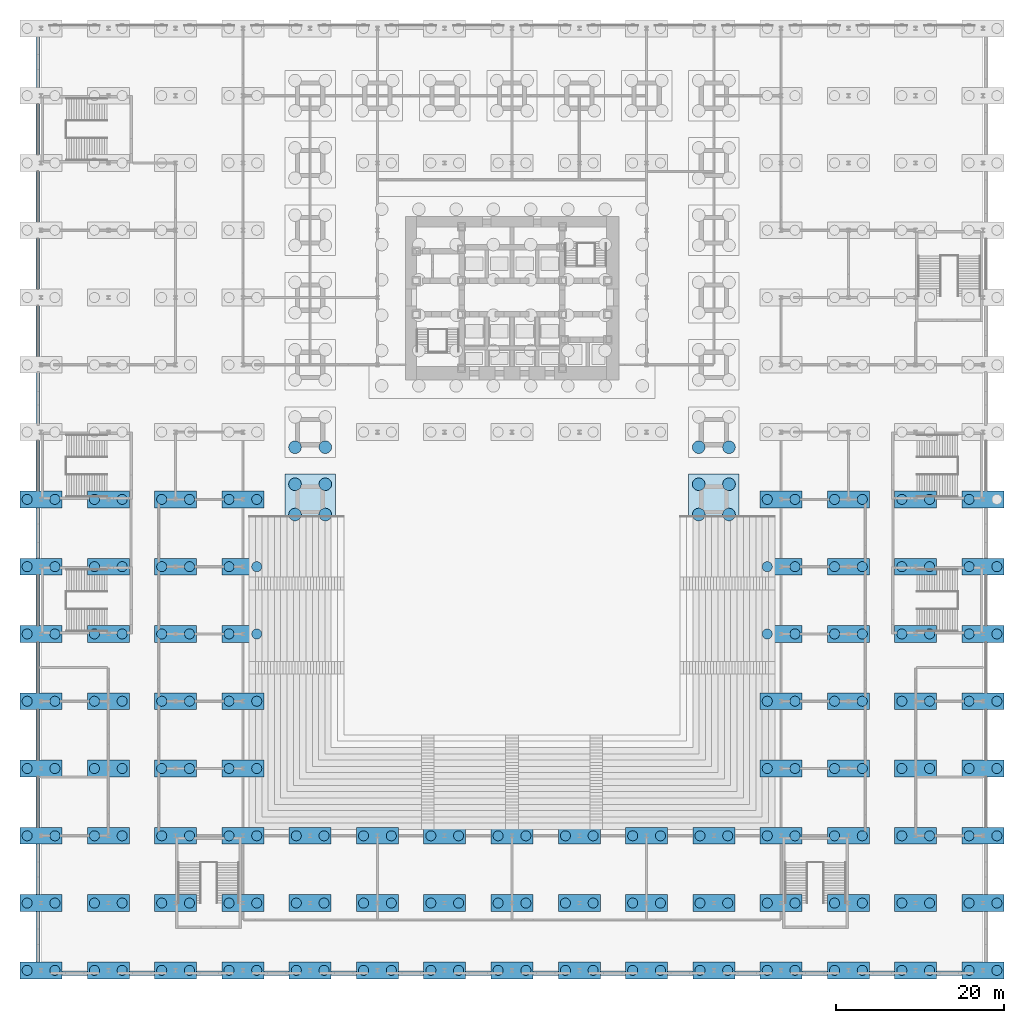
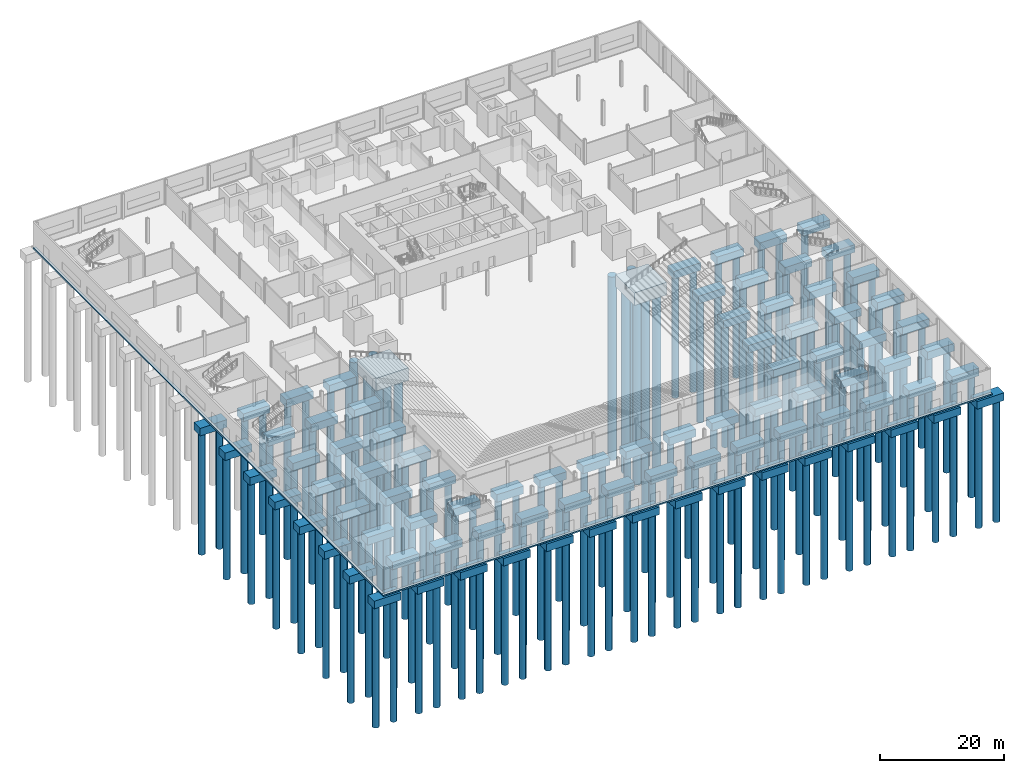
# One storey, part 1 of 24: 181 piles, 89 footings.
"""IFC4 building model written with IfcOpenShell, lengths in metres."""

import ifcopenshell
import ifcopenshell.guid

model = None  # the IFC model being written
_history = None  # IfcOwnerHistory: only IFC2X3 demands one
_inside = {}  # id of a spatial element -> (the spatial element, [elements in it])
_under = {}  # id of a project, library or spatial element -> (it, [spatial elements below it])
_declared = {}  # id of a project -> (the project, [libraries it declares])
_typed = {}  # id of a type object -> (the type object, [elements of that type])
_made_of = {}  # id of a material, layer set ... -> (it, [elements and type objects made of it])


def new_model(schema):
    """Start an empty IFC model of exactly this schema.

    Asked for "IFC4X3", IfcOpenShell would pick the latest addendum, in which some entities
    have other attributes; the version numbers below select the first issue.
    IFC2X3 requires an IfcOwnerHistory on every rooted entity: one is made here for all.
    """
    global model, _history
    if schema == "IFC4X3":
        model = ifcopenshell.file(schema_version=(4, 3, 0, 0))
    else:
        model = ifcopenshell.file(schema=schema)
    _inside.clear()
    _under.clear()
    _declared.clear()
    _typed.clear()
    _made_of.clear()
    _history = None
    if model.schema == "IFC2X3":
        org = make("IfcOrganization", Name="unknown")
        user = make(
            "IfcPersonAndOrganization",
            ThePerson=make("IfcPerson", FamilyName="unknown"),
            TheOrganization=org,
        )
        app = make(
            "IfcApplication",
            ApplicationDeveloper=org,
            Version="unknown",
            ApplicationFullName="unknown",
            ApplicationIdentifier="unknown",
        )
        _history = make(
            "IfcOwnerHistory",
            OwningUser=user,
            OwningApplication=app,
            ChangeAction="ADDED",
            CreationDate=0,
        )
    return model


def make(cls, **values):
    """One entity of the class cls with the attributes given. An attribute that is None is left unset."""
    return model.create_entity(
        cls, **{name: value for name, value in values.items() if value is not None}
    )


def rooted(cls, **values):
    """An entity with a GlobalId (a new one), such as an element, a storey or a relation."""
    return make(cls, GlobalId=ifcopenshell.guid.new(), OwnerHistory=_history, **values)


def si_unit(unit_type, name, prefix=None):
    """IfcSIUnit, for example si_unit("LENGTHUNIT", "METRE", prefix="MILLI")."""
    return make("IfcSIUnit", UnitType=unit_type, Prefix=prefix, Name=name)


def assignment(units):
    """IfcUnitAssignment: the units of a project."""
    return None if units is None else make("IfcUnitAssignment", Units=units)


def point(xyz):
    """IfcCartesianPoint."""
    return None if xyz is None else make("IfcCartesianPoint", Coordinates=xyz)


def direction(xyz):
    """IfcDirection."""
    return None if xyz is None else make("IfcDirection", DirectionRatios=xyz)


def frame(location, z_axis=None, x_axis=None):
    """IfcAxis2Placement3D, a coordinate frame: its origin and axes. An axis left out is left unset."""
    return make(
        "IfcAxis2Placement3D",
        Location=point(location),
        Axis=direction(z_axis),
        RefDirection=direction(x_axis),
    )


def frame_2d(location, x_axis=None):
    """IfcAxis2Placement2D, a coordinate frame in the plane: its origin and x axis."""
    return make(
        "IfcAxis2Placement2D", Location=point(location), RefDirection=direction(x_axis)
    )


def origin():
    """The frame at (0, 0, 0) with its axes left unset."""
    return frame((0.0, 0.0, 0.0))


def origin_2d():
    """The frame at (0, 0) in the plane with its x axis left unset."""
    return frame_2d((0.0, 0.0))


def place(relative_to, where):
    """IfcLocalPlacement: puts the frame where relative to a parent placement (None: the world)."""
    return make(
        "IfcLocalPlacement", PlacementRelTo=relative_to, RelativePlacement=where
    )


def context(
    kind, dimensions, precision=None, world=None, true_north=None, identifier=None
):
    """IfcGeometricRepresentationContext, for example the 3D "Model" context."""
    return make(
        "IfcGeometricRepresentationContext",
        ContextIdentifier=identifier,
        ContextType=kind,
        CoordinateSpaceDimension=dimensions,
        Precision=precision,
        WorldCoordinateSystem=world,
        TrueNorth=true_north,
    )


def subcontext(parent, identifier, kind, view, scale=None):
    """IfcGeometricRepresentationSubContext, for example "Body" below "Model"."""
    return make(
        "IfcGeometricRepresentationSubContext",
        ContextIdentifier=identifier,
        ContextType=kind,
        ParentContext=parent,
        TargetScale=scale,
        TargetView=view,
    )


def project(units=None, contexts=None):
    """IfcProject with its units and contexts."""
    return rooted(
        "IfcProject",
        Name="project",
        RepresentationContexts=contexts,
        UnitsInContext=assignment(units),
    )


def spatial(cls, under=None, at=None, **own):
    """A site, building, storey or space (cls), placed at a placement, below another one or the project."""
    s = rooted(cls, ObjectPlacement=at, **own)
    if under is not None:
        _under.setdefault(under.id(), (under, []))[1].append(s)
    return s


def profile(cls, at=None, kind="AREA", **sizes):
    """A parametric profile (cls). Its sizes go by their IFC names, for example OverallWidth=200.0."""
    return make(cls, ProfileType=kind, Position=at, **sizes)


def rectangle(**sizes):
    """IfcRectangleProfileDef."""
    return profile("IfcRectangleProfileDef", **sizes)


def circle(**sizes):
    """IfcCircleProfileDef."""
    return profile("IfcCircleProfileDef", **sizes)


def extrude(swept, where, along, depth):
    """IfcExtrudedAreaSolid: the profile swept, set in the frame where, extruded along a direction by depth."""
    return make(
        "IfcExtrudedAreaSolid",
        SweptArea=swept,
        Position=where,
        ExtrudedDirection=direction(along),
        Depth=depth,
    )


def shape(context_of_items, identifier, shape_type, items):
    """IfcShapeRepresentation: the items that make up one representation, for example the "Body"."""
    return make(
        "IfcShapeRepresentation",
        ContextOfItems=context_of_items,
        RepresentationIdentifier=identifier,
        RepresentationType=shape_type,
        Items=items,
    )


def material(Name=None, Category=None):
    """IfcMaterial."""
    return make("IfcMaterial", Name=Name, Category=Category)


def layer(
    of_material, thickness, ventilated=None, Name=None, Category=None, Priority=None
):
    """IfcMaterialLayer: one layer of a wall or slab, of a material (None: an air gap)."""
    return make(
        "IfcMaterialLayer",
        Material=of_material,
        LayerThickness=thickness,
        IsVentilated=ventilated,
        Name=Name,
        Category=Category,
        Priority=Priority,
    )


def layer_set(layers, Name=None):
    """IfcMaterialLayerSet."""
    return make("IfcMaterialLayerSet", MaterialLayers=layers, LayerSetName=Name)


def made_of(thing, what):
    """Note that an element or type object is made of a material, layer set ...; save() writes the relation."""
    if what is not None:
        _made_of.setdefault(what.id(), (what, []))[1].append(thing)
    return thing


def type_object(cls, material=None, **own):
    """A type object (cls), such as IfcWallType, which elements share."""
    return made_of(rooted(cls, **own), material)


def element(
    cls,
    number,
    at=None,
    inside=None,
    cuts=None,
    type_object=None,
    material=None,
    context=None,
    identifier="Body",
    shape_type=None,
    held_by="IfcProductDefinitionShape",
    body=None,
    shapes=None,
    **own,
):
    """One element of the class cls, such as IfcWall. Its Tag is "e" and its number.

    at: its placement. inside: the storey or other place that contains it. cuts: it is an
    opening in that element (IfcRelVoidsElement). A single representation is given by context,
    identifier, shape_type and body (its items); several are given by shapes. held_by: the class
    of the entity that holds the representations. save() writes the other relations.
    """
    e = rooted(cls, Tag="e%d" % number, ObjectPlacement=at, **own)
    if body is not None:
        shapes = [shape(context, identifier, shape_type, body)]
    if shapes is not None:
        e.Representation = make(held_by, Representations=shapes)
    if inside is not None:
        _inside.setdefault(inside.id(), (inside, []))[1].append(e)
    if cuts is not None:
        rooted(
            "IfcRelVoidsElement", RelatingBuildingElement=cuts, RelatedOpeningElement=e
        )
    if type_object is not None:
        _typed.setdefault(type_object.id(), (type_object, []))[1].append(e)
    return made_of(e, material)


def aggregate(whole, parts):
    """IfcRelAggregates: a whole, such as a stair, and the parts it consists of."""
    return rooted("IfcRelAggregates", RelatingObject=whole, RelatedObjects=parts)


def save(model, path):
    """Write the relations noted so far, then the file.

    IfcRelAggregates (storeys below a building ...), IfcRelContainedInSpatialStructure (elements
    in a storey), IfcRelDefinesByType, IfcRelAssociatesMaterial and IfcRelDeclares: one each for
    every whole, place, type object, material and project.
    """
    for whole, parts in _under.values():
        aggregate(whole, parts)
    for where, things in _inside.values():
        rooted(
            "IfcRelContainedInSpatialStructure",
            RelatedElements=things,
            RelatingStructure=where,
        )
    for kind, things in _typed.values():
        rooted("IfcRelDefinesByType", RelatedObjects=things, RelatingType=kind)
    for what, things in _made_of.values():
        rooted("IfcRelAssociatesMaterial", RelatedObjects=things, RelatingMaterial=what)
    for by, libraries in _declared.values():
        rooted("IfcRelDeclares", RelatingContext=by, RelatedDefinitions=libraries)
    model.write(path)


model = new_model("IFC4")

# Units and contexts
model_context = context("Model", 3, precision=1e-05, world=origin(), true_north=direction((0.0, 1.0)))
body_context = subcontext(model_context, "Body", "Model", "MODEL_VIEW")
ifc_project = project(units=[si_unit("LENGTHUNIT", "METRE"), si_unit("AREAUNIT", "SQUARE_METRE"), si_unit("VOLUMEUNIT", "CUBIC_METRE"), si_unit("PLANEANGLEUNIT", "RADIAN"), si_unit("MASSUNIT", "GRAM", prefix="KILO")], contexts=[model_context])

# Site, building, storey
site_placement = place(None, origin())
site = spatial("IfcSite", under=ifc_project, at=site_placement, CompositionType="ELEMENT")
building_placement = place(site_placement, origin())
building = spatial("IfcBuilding", under=site, at=building_placement, Name="Daluyong Arena Tower", CompositionType="ELEMENT")
storey_placement = place(building_placement, origin())
storey = spatial("IfcBuildingStorey", under=building, at=storey_placement, Name="L00", CompositionType="ELEMENT", Elevation=0.0)

# Piles
ifc_material_1 = material(Name="Concrete fc' 45 MPa", Category="concrete")
pile_type_1 = type_object("IfcPileType", Name="Bored pile D1200", PredefinedType="BORED", material=ifc_material_1)
for number, where, z_axis, x_axis, name in (
    (1, (-1.64990234375, 0.0, -1.64990234375), (0.0, 0.0, -1.0), (1.0, 0.0, 0.0), "pile under PC2 at 0,0"),
    (2, (1.64990234375, 0.0, -1.64990234375), (0.0, 0.0, -1.0), (1.0, 0.0, 0.0), "pile under PC2 at 0,0"),
    (3, (-1.64990234375, 8.0, -1.64990234375), (0.0, 0.0, -1.0), (1.0, 0.0, 0.0), "pile under PC2 at 0,8"),
    (4, (1.64990234375, 8.0, -1.64990234375), (0.0, 0.0, -1.0), (1.0, 0.0, 0.0), "pile under PC2 at 0,8"),
    (5, (-1.64990234375, 16.0, -1.64990234375), (0.0, 0.0, -1.0), (1.0, 0.0, 0.0), "pile under PC2 at 0,16"),
    (6, (1.64990234375, 16.0, -1.64990234375), (0.0, 0.0, -1.0), (1.0, 0.0, 0.0), "pile under PC2 at 0,16"),
    (7, (-1.64990234375, 24.0, -1.64990234375), (0.0, 0.0, -1.0), (1.0, 0.0, 0.0), "pile under PC2 at 0,24"),
    (8, (1.64990234375, 24.0, -1.64990234375), (0.0, 0.0, -1.0), (1.0, 0.0, 0.0), "pile under PC2 at 0,24"),
    (9, (-1.64990234375, 32.0, -1.64990234375), (0.0, 0.0, -1.0), (1.0, 0.0, 0.0), "pile under PC2 at 0,32"),
    (10, (1.64990234375, 32.0, -1.64990234375), (0.0, 0.0, -1.0), (1.0, 0.0, 0.0), "pile under PC2 at 0,32"),
    (11, (-1.64990234375, 40.0, -1.64990234375), (0.0, 0.0, -1.0), (1.0, 0.0, 0.0), "pile under PC2 at 0,40"),
    (12, (1.64990234375, 40.0, -1.64990234375), (0.0, 0.0, -1.0), (1.0, 0.0, 0.0), "pile under PC2 at 0,40"),
    (13, (-1.64990234375, 48.0, -1.64990234375), (0.0, 0.0, -1.0), (1.0, 0.0, 0.0), "pile under PC2 at 0,48"),
    (14, (1.64990234375, 48.0, -1.64990234375), (0.0, 0.0, -1.0), (1.0, 0.0, 0.0), "pile under PC2 at 0,48"),
    (15, (-1.64990234375, 56.0, -1.64990234375), (0.0, 0.0, -1.0), (1.0, 0.0, 0.0), "pile under PC2 at 0,56"),
    (16, (1.64990234375, 56.0, -1.64990234375), (0.0, 0.0, -1.0), (1.0, 0.0, 0.0), "pile under PC2 at 0,56"),
    (17, (6.35009765625, 0.0, -1.64990234375), (0.0, 0.0, -1.0), (1.0, 0.0, 0.0), "pile under PC2 at 8,0"),
    (18, (9.64990234375, 0.0, -1.64990234375), (0.0, 0.0, -1.0), (1.0, 0.0, 0.0), "pile under PC2 at 8,0"),
    (19, (6.35009765625, 8.0, -1.64990234375), (0.0, 0.0, -1.0), (1.0, 0.0, 0.0), "pile under PC2 at 8,8"),
    (20, (9.64990234375, 8.0, -1.64990234375), (0.0, 0.0, -1.0), (1.0, 0.0, 0.0), "pile under PC2 at 8,8"),
    (21, (6.35009765625, 16.0, -1.64990234375), (0.0, 0.0, -1.0), (1.0, 0.0, 0.0), "pile under PC2 at 8,16"),
    (22, (9.64990234375, 16.0, -1.64990234375), (0.0, 0.0, -1.0), (1.0, 0.0, 0.0), "pile under PC2 at 8,16"),
    (23, (6.35009765625, 24.0, -1.64990234375), (0.0, 0.0, -1.0), (1.0, 0.0, 0.0), "pile under PC2 at 8,24"),
    (24, (9.64990234375, 24.0, -1.64990234375), (0.0, 0.0, -1.0), (1.0, 0.0, 0.0), "pile under PC2 at 8,24"),
    (25, (6.35009765625, 32.0, -1.64990234375), (0.0, 0.0, -1.0), (1.0, 0.0, 0.0), "pile under PC2 at 8,32"),
    (26, (9.64990234375, 32.0, -1.64990234375), (0.0, 0.0, -1.0), (1.0, 0.0, 0.0), "pile under PC2 at 8,32"),
    (27, (6.35009765625, 40.0, -1.64990234375), (0.0, 0.0, -1.0), (1.0, 0.0, 0.0), "pile under PC2 at 8,40"),
    (28, (9.64990234375, 40.0, -1.64990234375), (0.0, 0.0, -1.0), (1.0, 0.0, 0.0), "pile under PC2 at 8,40"),
    (29, (6.35009765625, 48.0, -1.64990234375), (0.0, 0.0, -1.0), (1.0, 0.0, 0.0), "pile under PC2 at 8,48"),
    (30, (9.64990234375, 48.0, -1.64990234375), (0.0, 0.0, -1.0), (1.0, 0.0, 0.0), "pile under PC2 at 8,48"),
    (31, (6.35009765625, 56.0, -1.64990234375), (0.0, 0.0, -1.0), (1.0, 0.0, 0.0), "pile under PC2 at 8,56"),
    (32, (9.64990234375, 56.0, -1.64990234375), (0.0, 0.0, -1.0), (1.0, 0.0, 0.0), "pile under PC2 at 8,56"),
    (33, (14.35009765625, 0.0, -1.64990234375), (0.0, 0.0, -1.0), (1.0, 0.0, 0.0), "pile under PC2 at 16,0"),
    (34, (17.64990234375, 0.0, -1.64990234375), (0.0, 0.0, -1.0), (1.0, 0.0, 0.0), "pile under PC2 at 16,0"),
    (35, (14.35009765625, 8.0, -1.64990234375), (0.0, 0.0, -1.0), (1.0, 0.0, 0.0), "pile under PC2 at 16,8"),
    (36, (17.64990234375, 8.0, -1.64990234375), (0.0, 0.0, -1.0), (1.0, 0.0, 0.0), "pile under PC2 at 16,8"),
    (37, (14.35009765625, 16.0, -1.64990234375), (0.0, 0.0, -1.0), (1.0, 0.0, 0.0), "pile under PC2 at 16,16"),
    (38, (17.64990234375, 16.0, -1.64990234375), (0.0, 0.0, -1.0), (1.0, 0.0, 0.0), "pile under PC2 at 16,16"),
    (39, (14.35009765625, 24.0, -1.64990234375), (0.0, 0.0, -1.0), (1.0, 0.0, 0.0), "pile under PC2 at 16,24"),
    (40, (17.64990234375, 24.0, -1.64990234375), (0.0, 0.0, -1.0), (1.0, 0.0, 0.0), "pile under PC2 at 16,24"),
    (41, (14.35009765625, 32.0, -1.64990234375), (0.0, 0.0, -1.0), (1.0, 0.0, 0.0), "pile under PC2 at 16,32"),
    (42, (17.64990234375, 32.0, -1.64990234375), (0.0, 0.0, -1.0), (1.0, 0.0, 0.0), "pile under PC2 at 16,32"),
    (43, (14.35009765625, 40.0, -1.64990234375), (0.0, 0.0, -1.0), (1.0, 0.0, 0.0), "pile under PC2 at 16,40"),
    (44, (17.64990234375, 40.0, -1.64990234375), (0.0, 0.0, -1.0), (1.0, 0.0, 0.0), "pile under PC2 at 16,40"),
    (45, (14.35009765625, 48.0, -1.64990234375), (0.0, 0.0, -1.0), (1.0, 0.0, 0.0), "pile under PC2 at 16,48"),
    (46, (17.64990234375, 48.0, -1.64990234375), (0.0, 0.0, -1.0), (1.0, 0.0, 0.0), "pile under PC2 at 16,48"),
    (47, (14.35009765625, 56.0, -1.64990234375), (0.0, 0.0, -1.0), (1.0, 0.0, 0.0), "pile under PC2 at 16,56"),
    (48, (17.64990234375, 56.0, -1.64990234375), (0.0, 0.0, -1.0), (1.0, 0.0, 0.0), "pile under PC2 at 16,56"),
    (49, (22.35009765625, 0.0, -1.64990234375), (0.0, 0.0, -1.0), (1.0, 0.0, 0.0), "pile under PC2 at 24,0"),
    (50, (25.64990234375, 0.0, -1.64990234375), (0.0, 0.0, -1.0), (1.0, 0.0, 0.0), "pile under PC2 at 24,0"),
    (51, (22.35009765625, 8.0, -1.64990234375), (0.0, 0.0, -1.0), (1.0, 0.0, 0.0), "pile under PC2 at 24,8"),
    (52, (25.64990234375, 8.0, -1.64990234375), (0.0, 0.0, -1.0), (1.0, 0.0, 0.0), "pile under PC2 at 24,8"),
    (53, (22.35009765625, 16.0, -1.64990234375), (0.0, 0.0, -1.0), (1.0, 0.0, 0.0), "pile under PC2 at 24,16"),
    (54, (25.64990234375, 16.0, -1.64990234375), (0.0, 0.0, -1.0), (1.0, 0.0, 0.0), "pile under PC2 at 24,16"),
    (55, (22.35009765625, 24.0, -1.64990234375), (0.0, 0.0, -1.0), (1.0, 0.0, 0.0), "pile under PC2 at 24,24"),
    (56, (25.64990234375, 24.0, -1.64990234375), (0.0, 0.0, -1.0), (1.0, 0.0, 0.0), "pile under PC2 at 24,24"),
    (57, (22.35009765625, 32.0, -1.64990234375), (0.0, 0.0, -1.0), (1.0, 0.0, 0.0), "pile under PC2 at 24,32"),
    (58, (25.64990234375, 32.0, -1.64990234375), (0.0, 0.0, -1.0), (1.0, 0.0, 0.0), "pile under PC2 at 24,32"),
    (59, (22.35009765625, 40.0, -1.64990234375), (0.0, 0.0, -1.0), (1.0, 0.0, 0.0), "pile under PC2 at 24,40"),
    (60, (25.64990234375, 40.0, -1.64990234375), (0.0, 0.0, -1.0), (1.0, 0.0, 0.0), "pile under PC2 at 24,40"),
    (61, (22.35009765625, 48.0, -1.64990234375), (0.0, 0.0, -1.0), (1.0, 0.0, 0.0), "pile under PC2 at 24,48"),
    (62, (25.64990234375, 48.0, -1.64990234375), (0.0, 0.0, -1.0), (1.0, 0.0, 0.0), "pile under PC2 at 24,48"),
    (63, (22.35009765625, 56.0, -1.64990234375), (0.0, 0.0, -1.0), (1.0, 0.0, 0.0), "pile under PC2 at 24,56"),
    (64, (25.64990234375, 56.0, -1.64990234375), (0.0, 0.0, -1.0), (1.0, 0.0, 0.0), "pile under PC2 at 24,56"),
    (65, (30.35009765625, 0.0, -1.64990234375), (0.0, 0.0, -1.0), (1.0, 0.0, 0.0), "pile under PC2 at 32,0"),
    (66, (33.64990234375, 0.0, -1.64990234375), (0.0, 0.0, -1.0), (1.0, 0.0, 0.0), "pile under PC2 at 32,0"),
    (67, (30.35009765625, 8.0, -1.64990234375), (0.0, 0.0, -1.0), (1.0, 0.0, 0.0), "pile under PC2 at 32,8"),
    (68, (33.64990234375, 8.0, -1.64990234375), (0.0, 0.0, -1.0), (1.0, 0.0, 0.0), "pile under PC2 at 32,8"),
    (69, (30.35009765625, 16.0, -1.64990234375), (0.0, 0.0, -1.0), (1.0, 0.0, 0.0), "pile under PC2 at 32,16"),
    (70, (33.64990234375, 16.0, -1.64990234375), (0.0, 0.0, -1.0), (1.0, 0.0, 0.0), "pile under PC2 at 32,16"),
    (71, (38.35009765625, 0.0, -1.64990234375), (0.0, 0.0, -1.0), (1.0, 0.0, 0.0), "pile under PC2 at 40,0"),
    (72, (41.64990234375, 0.0, -1.64990234375), (0.0, 0.0, -1.0), (1.0, 0.0, 0.0), "pile under PC2 at 40,0"),
    (73, (38.35009765625, 8.0, -1.64990234375), (0.0, 0.0, -1.0), (1.0, 0.0, 0.0), "pile under PC2 at 40,8"),
    (74, (41.64990234375, 8.0, -1.64990234375), (0.0, 0.0, -1.0), (1.0, 0.0, 0.0), "pile under PC2 at 40,8"),
    (75, (38.35009765625, 16.0, -1.64990234375), (0.0, 0.0, -1.0), (1.0, 0.0, 0.0), "pile under PC2 at 40,16"),
    (76, (41.64990234375, 16.0, -1.64990234375), (0.0, 0.0, -1.0), (1.0, 0.0, 0.0), "pile under PC2 at 40,16"),
    (77, (46.35009765625, 0.0, -1.64990234375), (0.0, 0.0, -1.0), (1.0, 0.0, 0.0), "pile under PC2 at 48,0"),
    (78, (49.64990234375, 0.0, -1.64990234375), (0.0, 0.0, -1.0), (1.0, 0.0, 0.0), "pile under PC2 at 48,0"),
    (79, (46.35009765625, 8.0, -1.64990234375), (0.0, 0.0, -1.0), (1.0, 0.0, 0.0), "pile under PC2 at 48,8"),
    (80, (49.64990234375, 8.0, -1.64990234375), (0.0, 0.0, -1.0), (1.0, 0.0, 0.0), "pile under PC2 at 48,8"),
    (81, (46.35009765625, 16.0, -1.64990234375), (0.0, 0.0, -1.0), (1.0, 0.0, 0.0), "pile under PC2 at 48,16"),
    (82, (49.64990234375, 16.0, -1.64990234375), (0.0, 0.0, -1.0), (1.0, 0.0, 0.0), "pile under PC2 at 48,16"),
    (83, (54.35009765625, 0.0, -1.64990234375), (0.0, 0.0, -1.0), (1.0, 0.0, 0.0), "pile under PC2 at 56,0"),
    (84, (57.64990234375, 0.0, -1.64990234375), (0.0, 0.0, -1.0), (1.0, 0.0, 0.0), "pile under PC2 at 56,0"),
    (85, (54.35009765625, 8.0, -1.64990234375), (0.0, 0.0, -1.0), (1.0, 0.0, 0.0), "pile under PC2 at 56,8"),
    (86, (57.64990234375, 8.0, -1.64990234375), (0.0, 0.0, -1.0), (1.0, 0.0, 0.0), "pile under PC2 at 56,8"),
    (87, (54.35009765625, 16.0, -1.64990234375), (0.0, 0.0, -1.0), (1.0, 0.0, 0.0), "pile under PC2 at 56,16"),
    (88, (57.64990234375, 16.0, -1.64990234375), (0.0, 0.0, -1.0), (1.0, 0.0, 0.0), "pile under PC2 at 56,16"),
    (89, (62.35009765625, 0.0, -1.64990234375), (0.0, 0.0, -1.0), (1.0, 0.0, 0.0), "pile under PC2 at 64,0"),
    (90, (65.64990234375, 0.0, -1.64990234375), (0.0, 0.0, -1.0), (1.0, 0.0, 0.0), "pile under PC2 at 64,0"),
    (91, (62.35009765625, 8.0, -1.64990234375), (0.0, 0.0, -1.0), (1.0, 0.0, 0.0), "pile under PC2 at 64,8"),
    (92, (65.64990234375, 8.0, -1.64990234375), (0.0, 0.0, -1.0), (1.0, 0.0, 0.0), "pile under PC2 at 64,8"),
    (93, (62.35009765625, 16.0, -1.64990234375), (0.0, 0.0, -1.0), (1.0, 0.0, 0.0), "pile under PC2 at 64,16"),
    (94, (65.64990234375, 16.0, -1.64990234375), (0.0, 0.0, -1.0), (1.0, 0.0, 0.0), "pile under PC2 at 64,16"),
    (95, (70.35009765625, 0.0, -1.64990234375), (0.0, 0.0, -1.0), (1.0, 0.0, 0.0), "pile under PC2 at 72,0"),
    (96, (73.64990234375, 0.0, -1.64990234375), (0.0, 0.0, -1.0), (1.0, 0.0, 0.0), "pile under PC2 at 72,0"),
    (97, (70.35009765625, 8.0, -1.64990234375), (0.0, 0.0, -1.0), (1.0, 0.0, 0.0), "pile under PC2 at 72,8"),
    (98, (73.64990234375, 8.0, -1.64990234375), (0.0, 0.0, -1.0), (1.0, 0.0, 0.0), "pile under PC2 at 72,8"),
    (99, (70.35009765625, 16.0, -1.64990234375), (0.0, 0.0, -1.0), (1.0, 0.0, 0.0), "pile under PC2 at 72,16"),
    (100, (73.64990234375, 16.0, -1.64990234375), (0.0, 0.0, -1.0), (1.0, 0.0, 0.0), "pile under PC2 at 72,16"),
    (101, (78.35009765625, 0.0, -1.64990234375), (0.0, 0.0, -1.0), (1.0, 0.0, 0.0), "pile under PC2 at 80,0"),
    (102, (81.64990234375, 0.0, -1.64990234375), (0.0, 0.0, -1.0), (1.0, 0.0, 0.0), "pile under PC2 at 80,0"),
    (103, (78.35009765625, 8.0, -1.64990234375), (0.0, 0.0, -1.0), (1.0, 0.0, 0.0), "pile under PC2 at 80,8"),
    (104, (81.64990234375, 8.0, -1.64990234375), (0.0, 0.0, -1.0), (1.0, 0.0, 0.0), "pile under PC2 at 80,8"),
    (105, (78.35009765625, 16.0, -1.64990234375), (0.0, 0.0, -1.0), (1.0, 0.0, 0.0), "pile under PC2 at 80,16"),
    (106, (81.64990234375, 16.0, -1.64990234375), (0.0, 0.0, -1.0), (1.0, 0.0, 0.0), "pile under PC2 at 80,16"),
    (107, (86.35009765625, 0.0, -1.64990234375), (0.0, 0.0, -1.0), (1.0, 0.0, 0.0), "pile under PC2 at 88,0"),
    (108, (89.64990234375, 0.0, -1.64990234375), (0.0, 0.0, -1.0), (1.0, 0.0, 0.0), "pile under PC2 at 88,0"),
    (109, (86.35009765625, 8.0, -1.64990234375), (0.0, 0.0, -1.0), (1.0, 0.0, 0.0), "pile under PC2 at 88,8"),
    (110, (89.64990234375, 8.0, -1.64990234375), (0.0, 0.0, -1.0), (1.0, 0.0, 0.0), "pile under PC2 at 88,8"),
    (111, (86.35009765625, 16.0, -1.64990234375), (0.0, 0.0, -1.0), (1.0, 0.0, 0.0), "pile under PC2 at 88,16"),
    (112, (89.64990234375, 16.0, -1.64990234375), (0.0, 0.0, -1.0), (1.0, 0.0, 0.0), "pile under PC2 at 88,16"),
    (113, (86.35009765625, 24.0, -1.64990234375), (0.0, 0.0, -1.0), (1.0, 0.0, 0.0), "pile under PC2 at 88,24"),
    (114, (89.64990234375, 24.0, -1.64990234375), (0.0, 0.0, -1.0), (1.0, 0.0, 0.0), "pile under PC2 at 88,24"),
    (115, (86.35009765625, 32.0, -1.64990234375), (0.0, 0.0, -1.0), (1.0, 0.0, 0.0), "pile under PC2 at 88,32"),
    (116, (89.64990234375, 32.0, -1.64990234375), (0.0, 0.0, -1.0), (1.0, 0.0, 0.0), "pile under PC2 at 88,32"),
    (117, (86.35009765625, 40.0, -1.64990234375), (0.0, 0.0, -1.0), (1.0, 0.0, 0.0), "pile under PC2 at 88,40"),
    (118, (89.64990234375, 40.0, -1.64990234375), (0.0, 0.0, -1.0), (1.0, 0.0, 0.0), "pile under PC2 at 88,40"),
    (119, (86.35009765625, 48.0, -1.64990234375), (0.0, 0.0, -1.0), (1.0, 0.0, 0.0), "pile under PC2 at 88,48"),
    (120, (89.64990234375, 48.0, -1.64990234375), (0.0, 0.0, -1.0), (1.0, 0.0, 0.0), "pile under PC2 at 88,48"),
    (121, (86.35009765625, 56.0, -1.64990234375), (0.0, 0.0, -1.0), (1.0, 0.0, 0.0), "pile under PC2 at 88,56"),
    (122, (89.64990234375, 56.0, -1.64990234375), (0.0, 0.0, -1.0), (1.0, 0.0, 0.0), "pile under PC2 at 88,56"),
    (123, (94.35009765625, 0.0, -1.64990234375), (0.0, 0.0, -1.0), (1.0, 0.0, 0.0), "pile under PC2 at 96,0"),
    (124, (97.64990234375, 0.0, -1.64990234375), (0.0, 0.0, -1.0), (1.0, 0.0, 0.0), "pile under PC2 at 96,0"),
    (125, (94.35009765625, 8.0, -1.64990234375), (0.0, 0.0, -1.0), (1.0, 0.0, 0.0), "pile under PC2 at 96,8"),
    (126, (97.64990234375, 8.0, -1.64990234375), (0.0, 0.0, -1.0), (1.0, 0.0, 0.0), "pile under PC2 at 96,8"),
    (127, (94.35009765625, 16.0, -1.64990234375), (0.0, 0.0, -1.0), (1.0, 0.0, 0.0), "pile under PC2 at 96,16"),
    (128, (97.64990234375, 16.0, -1.64990234375), (0.0, 0.0, -1.0), (1.0, 0.0, 0.0), "pile under PC2 at 96,16"),
    (129, (94.35009765625, 24.0, -1.64990234375), (0.0, 0.0, -1.0), (1.0, 0.0, 0.0), "pile under PC2 at 96,24"),
    (130, (97.64990234375, 24.0, -1.64990234375), (0.0, 0.0, -1.0), (1.0, 0.0, 0.0), "pile under PC2 at 96,24"),
    (131, (94.35009765625, 32.0, -1.64990234375), (0.0, 0.0, -1.0), (1.0, 0.0, 0.0), "pile under PC2 at 96,32"),
    (132, (97.64990234375, 32.0, -1.64990234375), (0.0, 0.0, -1.0), (1.0, 0.0, 0.0), "pile under PC2 at 96,32"),
    (133, (94.35009765625, 40.0, -1.64990234375), (0.0, 0.0, -1.0), (1.0, 0.0, 0.0), "pile under PC2 at 96,40"),
    (134, (97.64990234375, 40.0, -1.64990234375), (0.0, 0.0, -1.0), (1.0, 0.0, 0.0), "pile under PC2 at 96,40"),
    (135, (94.35009765625, 48.0, -1.64990234375), (0.0, 0.0, -1.0), (1.0, 0.0, 0.0), "pile under PC2 at 96,48"),
    (136, (97.64990234375, 48.0, -1.64990234375), (0.0, 0.0, -1.0), (1.0, 0.0, 0.0), "pile under PC2 at 96,48"),
    (137, (94.35009765625, 56.0, -1.64990234375), (0.0, 0.0, -1.0), (1.0, 0.0, 0.0), "pile under PC2 at 96,56"),
    (138, (97.64990234375, 56.0, -1.64990234375), (0.0, 0.0, -1.0), (1.0, 0.0, 0.0), "pile under PC2 at 96,56"),
    (139, (102.35009765625, 0.0, -1.64990234375), (0.0, 0.0, -1.0), (1.0, 0.0, 0.0), "pile under PC2 at 104,0"),
    (140, (105.64990234375, 0.0, -1.64990234375), (0.0, 0.0, -1.0), (1.0, 0.0, 0.0), "pile under PC2 at 104,0"),
    (141, (102.35009765625, 8.0, -1.64990234375), (0.0, 0.0, -1.0), (1.0, 0.0, 0.0), "pile under PC2 at 104,8"),
    (142, (105.64990234375, 8.0, -1.64990234375), (0.0, 0.0, -1.0), (1.0, 0.0, 0.0), "pile under PC2 at 104,8"),
    (143, (102.35009765625, 16.0, -1.64990234375), (0.0, 0.0, -1.0), (1.0, 0.0, 0.0), "pile under PC2 at 104,16"),
    (144, (105.64990234375, 16.0, -1.64990234375), (0.0, 0.0, -1.0), (1.0, 0.0, 0.0), "pile under PC2 at 104,16"),
    (145, (102.35009765625, 24.0, -1.64990234375), (0.0, 0.0, -1.0), (1.0, 0.0, 0.0), "pile under PC2 at 104,24"),
    (146, (105.64990234375, 24.0, -1.64990234375), (0.0, 0.0, -1.0), (1.0, 0.0, 0.0), "pile under PC2 at 104,24"),
    (147, (102.35009765625, 32.0, -1.64990234375), (0.0, 0.0, -1.0), (1.0, 0.0, 0.0), "pile under PC2 at 104,32"),
    (148, (105.64990234375, 32.0, -1.64990234375), (0.0, 0.0, -1.0), (1.0, 0.0, 0.0), "pile under PC2 at 104,32"),
    (149, (102.35009765625, 40.0, -1.64990234375), (0.0, 0.0, -1.0), (1.0, 0.0, 0.0), "pile under PC2 at 104,40"),
    (150, (105.64990234375, 40.0, -1.64990234375), (0.0, 0.0, -1.0), (1.0, 0.0, 0.0), "pile under PC2 at 104,40"),
    (151, (102.35009765625, 48.0, -1.64990234375), (0.0, 0.0, -1.0), (1.0, 0.0, 0.0), "pile under PC2 at 104,48"),
    (152, (105.64990234375, 48.0, -1.64990234375), (0.0, 0.0, -1.0), (1.0, 0.0, 0.0), "pile under PC2 at 104,48"),
    (153, (102.35009765625, 56.0, -1.64990234375), (0.0, 0.0, -1.0), (1.0, 0.0, 0.0), "pile under PC2 at 104,56"),
    (154, (105.64990234375, 56.0, -1.64990234375), (0.0, 0.0, -1.0), (1.0, 0.0, 0.0), "pile under PC2 at 104,56"),
    (155, (110.35009765625, 0.0, -1.64990234375), (0.0, 0.0, -1.0), (1.0, 0.0, 0.0), "pile under PC2 at 112,0"),
    (156, (113.64990234375, 0.0, -1.64990234375), (0.0, 0.0, -1.0), (1.0, 0.0, 0.0), "pile under PC2 at 112,0"),
    (157, (110.35009765625, 8.0, -1.64990234375), (0.0, 0.0, -1.0), (1.0, 0.0, 0.0), "pile under PC2 at 112,8"),
    (158, (113.64990234375, 8.0, -1.64990234375), (0.0, 0.0, -1.0), (1.0, 0.0, 0.0), "pile under PC2 at 112,8"),
    (159, (110.35009765625, 16.0, -1.64990234375), (0.0, 0.0, -1.0), (1.0, 0.0, 0.0), "pile under PC2 at 112,16"),
    (160, (113.64990234375, 16.0, -1.64990234375), (0.0, 0.0, -1.0), (1.0, 0.0, 0.0), "pile under PC2 at 112,16"),
    (161, (110.35009765625, 24.0, -1.64990234375), (0.0, 0.0, -1.0), (1.0, 0.0, 0.0), "pile under PC2 at 112,24"),
    (162, (113.64990234375, 24.0, -1.64990234375), (0.0, 0.0, -1.0), (1.0, 0.0, 0.0), "pile under PC2 at 112,24"),
    (163, (110.35009765625, 32.0, -1.64990234375), (0.0, 0.0, -1.0), (1.0, 0.0, 0.0), "pile under PC2 at 112,32"),
    (164, (113.64990234375, 32.0, -1.64990234375), (0.0, 0.0, -1.0), (1.0, 0.0, 0.0), "pile under PC2 at 112,32"),
    (165, (110.35009765625, 40.0, -1.64990234375), (0.0, 0.0, -1.0), (1.0, 0.0, 0.0), "pile under PC2 at 112,40"),
    (166, (113.64990234375, 40.0, -1.64990234375), (0.0, 0.0, -1.0), (1.0, 0.0, 0.0), "pile under PC2 at 112,40"),
    (167, (110.35009765625, 48.0, -1.64990234375), (0.0, 0.0, -1.0), (1.0, 0.0, 0.0), "pile under PC2 at 112,48"),
    (168, (113.64990234375, 48.0, -1.64990234375), (0.0, 0.0, -1.0), (1.0, 0.0, 0.0), "pile under PC2 at 112,48"),
    (169, (110.35009765625, 56.0, -1.64990234375), (0.0, 0.0, -1.0), (1.0, 0.0, 0.0), "pile under PC2 at 112,56"),
):
    element("IfcPile", number, at=place(storey_placement, frame(where, z_axis=z_axis, x_axis=x_axis)), inside=storey, type_object=pile_type_1, Name=name, PredefinedType="BORED", context=body_context, shape_type="SweptSolid", body=[
        extrude(circle(Radius=0.60009765625, at=origin_2d()), origin(), (0.0, 0.0, 1.0), 24.0),
    ])
ifc_material_2 = material(Name="Concrete fc' 45 MPa", Category="concrete")
pile_type_2 = type_object("IfcPileType", Name="Bored pile D1500", PredefinedType="BORED", material=ifc_material_2)
for number, where, z_axis, x_axis, name in (
    (170, (30.199951171875, 54.199951171875, -2.64990234375), (0.0, 0.0, -1.0), (1.0, 0.0, 0.0), "pile under PC4 at 32,56"),
    (171, (33.800048828125, 54.199951171875, -2.64990234375), (0.0, 0.0, -1.0), (1.0, 0.0, 0.0), "pile under PC4 at 32,56"),
    (172, (30.199951171875, 57.800048828125, -2.64990234375), (0.0, 0.0, -1.0), (1.0, 0.0, 0.0), "pile under PC4 at 32,56"),
    (173, (33.800048828125, 57.800048828125, -2.64990234375), (0.0, 0.0, -1.0), (1.0, 0.0, 0.0), "pile under PC4 at 32,56"),
    (174, (30.199951171875, 62.199951171875, -2.64990234375), (0.0, 0.0, -1.0), (1.0, 0.0, 0.0), "pile under PC4 at 32,64"),
    (175, (33.800048828125, 62.199951171875, -2.64990234375), (0.0, 0.0, -1.0), (1.0, 0.0, 0.0), "pile under PC4 at 32,64"),
    (176, (78.199951171875, 54.199951171875, -2.64990234375), (0.0, 0.0, -1.0), (1.0, 0.0, 0.0), "pile under PC4 at 80,56"),
    (177, (81.800048828125, 54.199951171875, -2.64990234375), (0.0, 0.0, -1.0), (1.0, 0.0, 0.0), "pile under PC4 at 80,56"),
    (178, (78.199951171875, 57.800048828125, -2.64990234375), (0.0, 0.0, -1.0), (1.0, 0.0, 0.0), "pile under PC4 at 80,56"),
    (179, (81.800048828125, 57.800048828125, -2.64990234375), (0.0, 0.0, -1.0), (1.0, 0.0, 0.0), "pile under PC4 at 80,56"),
    (180, (78.199951171875, 62.199951171875, -2.64990234375), (0.0, 0.0, -1.0), (1.0, 0.0, 0.0), "pile under PC4 at 80,64"),
    (181, (81.800048828125, 62.199951171875, -2.64990234375), (0.0, 0.0, -1.0), (1.0, 0.0, 0.0), "pile under PC4 at 80,64"),
):
    element("IfcPile", number, at=place(storey_placement, frame(where, z_axis=z_axis, x_axis=x_axis)), inside=storey, type_object=pile_type_2, Name=name, PredefinedType="BORED", context=body_context, shape_type="SweptSolid", body=[
        extrude(circle(Radius=0.75, at=origin_2d()), origin(), (0.0, 0.0, 1.0), 36.0),
    ])

# Footings
ifc_material_3 = material(Name="Concrete fc' 35 MPa", Category="concrete")
ifc_layer_1 = layer(ifc_material_3, 0.25)
ifc_layer_set_1 = layer_set([ifc_layer_1], Name="Concrete fc' 35 MPa")
footing_type_1 = type_object("IfcFootingType", Name="Facade ground beam 500", PredefinedType="STRIP_FOOTING", material=ifc_layer_set_1)
footing_1_placement = place(storey_placement, frame((56.0, -0.35009765625, -0.25), z_axis=(0.0, 0.0, 1.0), x_axis=(1.0, 0.0, 0.0)))
element("IfcFooting", 182, at=footing_1_placement, inside=storey, type_object=footing_type_1, Name="facade ground beam S", PredefinedType="STRIP_FOOTING", context=body_context, shape_type="SweptSolid", body=[
    extrude(rectangle(XDim=113.199951171875, YDim=0.5, at=origin_2d()), origin(), (0.0, 0.0, 1.0), 0.25),
])
footing_2_placement = place(storey_placement, frame((-0.35009765625, 56.0, -0.25), z_axis=(0.0, 0.0, 1.0), x_axis=(1.0, 0.0, 0.0)))
element("IfcFooting", 183, at=footing_2_placement, inside=storey, type_object=footing_type_1, Name="facade ground beam W", PredefinedType="STRIP_FOOTING", context=body_context, shape_type="SweptSolid", body=[
    extrude(rectangle(XDim=0.5, YDim=112.199951171875, at=origin_2d()), origin(), (0.0, 0.0, 1.0), 0.25),
])
ifc_material_4 = material(Name="Concrete fc' 45 MPa", Category="concrete")
ifc_layer_2 = layer(ifc_material_4, 1.5)
ifc_layer_set_2 = layer_set([ifc_layer_2], Name="Concrete fc' 45 MPa")
footing_type_2 = type_object("IfcFootingType", Name="Pile cap 2-pile 5000", PredefinedType="PILE_CAP", material=ifc_layer_set_2)
for number, where, z_axis, x_axis, name in (
    (184, (0.0, 0.0, -1.75), (0.0, 0.0, 1.0), (1.0, 0.0, 0.0), "pile cap PC2 at 0,0"),
    (185, (0.0, 8.0, -1.75), (0.0, 0.0, 1.0), (1.0, 0.0, 0.0), "pile cap PC2 at 0,8"),
    (186, (0.0, 16.0, -1.75), (0.0, 0.0, 1.0), (1.0, 0.0, 0.0), "pile cap PC2 at 0,16"),
    (187, (0.0, 24.0, -1.75), (0.0, 0.0, 1.0), (1.0, 0.0, 0.0), "pile cap PC2 at 0,24"),
    (188, (0.0, 32.0, -1.75), (0.0, 0.0, 1.0), (1.0, 0.0, 0.0), "pile cap PC2 at 0,32"),
    (189, (0.0, 40.0, -1.75), (0.0, 0.0, 1.0), (1.0, 0.0, 0.0), "pile cap PC2 at 0,40"),
    (190, (0.0, 48.0, -1.75), (0.0, 0.0, 1.0), (1.0, 0.0, 0.0), "pile cap PC2 at 0,48"),
    (191, (0.0, 56.0, -1.75), (0.0, 0.0, 1.0), (1.0, 0.0, 0.0), "pile cap PC2 at 0,56"),
    (192, (8.0, 0.0, -1.75), (0.0, 0.0, 1.0), (1.0, 0.0, 0.0), "pile cap PC2 at 8,0"),
    (193, (8.0, 8.0, -1.75), (0.0, 0.0, 1.0), (1.0, 0.0, 0.0), "pile cap PC2 at 8,8"),
    (194, (8.0, 16.0, -1.75), (0.0, 0.0, 1.0), (1.0, 0.0, 0.0), "pile cap PC2 at 8,16"),
    (195, (8.0, 24.0, -1.75), (0.0, 0.0, 1.0), (1.0, 0.0, 0.0), "pile cap PC2 at 8,24"),
    (196, (8.0, 32.0, -1.75), (0.0, 0.0, 1.0), (1.0, 0.0, 0.0), "pile cap PC2 at 8,32"),
    (197, (8.0, 40.0, -1.75), (0.0, 0.0, 1.0), (1.0, 0.0, 0.0), "pile cap PC2 at 8,40"),
    (198, (8.0, 48.0, -1.75), (0.0, 0.0, 1.0), (1.0, 0.0, 0.0), "pile cap PC2 at 8,48"),
    (199, (8.0, 56.0, -1.75), (0.0, 0.0, 1.0), (1.0, 0.0, 0.0), "pile cap PC2 at 8,56"),
    (200, (16.0, 0.0, -1.75), (0.0, 0.0, 1.0), (1.0, 0.0, 0.0), "pile cap PC2 at 16,0"),
    (201, (16.0, 8.0, -1.75), (0.0, 0.0, 1.0), (1.0, 0.0, 0.0), "pile cap PC2 at 16,8"),
    (202, (16.0, 16.0, -1.75), (0.0, 0.0, 1.0), (1.0, 0.0, 0.0), "pile cap PC2 at 16,16"),
    (203, (16.0, 24.0, -1.75), (0.0, 0.0, 1.0), (1.0, 0.0, 0.0), "pile cap PC2 at 16,24"),
    (204, (16.0, 32.0, -1.75), (0.0, 0.0, 1.0), (1.0, 0.0, 0.0), "pile cap PC2 at 16,32"),
    (205, (16.0, 40.0, -1.75), (0.0, 0.0, 1.0), (1.0, 0.0, 0.0), "pile cap PC2 at 16,40"),
    (206, (16.0, 48.0, -1.75), (0.0, 0.0, 1.0), (1.0, 0.0, 0.0), "pile cap PC2 at 16,48"),
    (207, (16.0, 56.0, -1.75), (0.0, 0.0, 1.0), (1.0, 0.0, 0.0), "pile cap PC2 at 16,56"),
    (208, (24.0, 0.0, -1.75), (0.0, 0.0, 1.0), (1.0, 0.0, 0.0), "pile cap PC2 at 24,0"),
    (209, (24.0, 8.0, -1.75), (0.0, 0.0, 1.0), (1.0, 0.0, 0.0), "pile cap PC2 at 24,8"),
    (210, (24.0, 16.0, -1.75), (0.0, 0.0, 1.0), (1.0, 0.0, 0.0), "pile cap PC2 at 24,16"),
    (211, (24.0, 24.0, -1.75), (0.0, 0.0, 1.0), (1.0, 0.0, 0.0), "pile cap PC2 at 24,24"),
    (212, (24.0, 32.0, -1.75), (0.0, 0.0, 1.0), (1.0, 0.0, 0.0), "pile cap PC2 at 24,32"),
    (213, (24.0, 40.0, -1.75), (0.0, 0.0, 1.0), (1.0, 0.0, 0.0), "pile cap PC2 at 24,40"),
    (214, (24.0, 48.0, -1.75), (0.0, 0.0, 1.0), (1.0, 0.0, 0.0), "pile cap PC2 at 24,48"),
    (215, (24.0, 56.0, -1.75), (0.0, 0.0, 1.0), (1.0, 0.0, 0.0), "pile cap PC2 at 24,56"),
    (216, (32.0, 0.0, -1.75), (0.0, 0.0, 1.0), (1.0, 0.0, 0.0), "pile cap PC2 at 32,0"),
    (217, (32.0, 8.0, -1.75), (0.0, 0.0, 1.0), (1.0, 0.0, 0.0), "pile cap PC2 at 32,8"),
    (218, (32.0, 16.0, -1.75), (0.0, 0.0, 1.0), (1.0, 0.0, 0.0), "pile cap PC2 at 32,16"),
    (219, (40.0, 0.0, -1.75), (0.0, 0.0, 1.0), (1.0, 0.0, 0.0), "pile cap PC2 at 40,0"),
    (220, (40.0, 8.0, -1.75), (0.0, 0.0, 1.0), (1.0, 0.0, 0.0), "pile cap PC2 at 40,8"),
    (221, (40.0, 16.0, -1.75), (0.0, 0.0, 1.0), (1.0, 0.0, 0.0), "pile cap PC2 at 40,16"),
    (222, (48.0, 0.0, -1.75), (0.0, 0.0, 1.0), (1.0, 0.0, 0.0), "pile cap PC2 at 48,0"),
    (223, (48.0, 8.0, -1.75), (0.0, 0.0, 1.0), (1.0, 0.0, 0.0), "pile cap PC2 at 48,8"),
    (224, (48.0, 16.0, -1.75), (0.0, 0.0, 1.0), (1.0, 0.0, 0.0), "pile cap PC2 at 48,16"),
    (225, (56.0, 0.0, -1.75), (0.0, 0.0, 1.0), (1.0, 0.0, 0.0), "pile cap PC2 at 56,0"),
    (226, (56.0, 8.0, -1.75), (0.0, 0.0, 1.0), (1.0, 0.0, 0.0), "pile cap PC2 at 56,8"),
    (227, (56.0, 16.0, -1.75), (0.0, 0.0, 1.0), (1.0, 0.0, 0.0), "pile cap PC2 at 56,16"),
    (228, (64.0, 0.0, -1.75), (0.0, 0.0, 1.0), (1.0, 0.0, 0.0), "pile cap PC2 at 64,0"),
    (229, (64.0, 8.0, -1.75), (0.0, 0.0, 1.0), (1.0, 0.0, 0.0), "pile cap PC2 at 64,8"),
    (230, (64.0, 16.0, -1.75), (0.0, 0.0, 1.0), (1.0, 0.0, 0.0), "pile cap PC2 at 64,16"),
    (231, (72.0, 0.0, -1.75), (0.0, 0.0, 1.0), (1.0, 0.0, 0.0), "pile cap PC2 at 72,0"),
    (232, (72.0, 8.0, -1.75), (0.0, 0.0, 1.0), (1.0, 0.0, 0.0), "pile cap PC2 at 72,8"),
    (233, (72.0, 16.0, -1.75), (0.0, 0.0, 1.0), (1.0, 0.0, 0.0), "pile cap PC2 at 72,16"),
    (234, (80.0, 0.0, -1.75), (0.0, 0.0, 1.0), (1.0, 0.0, 0.0), "pile cap PC2 at 80,0"),
    (235, (80.0, 8.0, -1.75), (0.0, 0.0, 1.0), (1.0, 0.0, 0.0), "pile cap PC2 at 80,8"),
    (236, (80.0, 16.0, -1.75), (0.0, 0.0, 1.0), (1.0, 0.0, 0.0), "pile cap PC2 at 80,16"),
    (237, (88.0, 0.0, -1.75), (0.0, 0.0, 1.0), (1.0, 0.0, 0.0), "pile cap PC2 at 88,0"),
    (238, (88.0, 8.0, -1.75), (0.0, 0.0, 1.0), (1.0, 0.0, 0.0), "pile cap PC2 at 88,8"),
    (239, (88.0, 16.0, -1.75), (0.0, 0.0, 1.0), (1.0, 0.0, 0.0), "pile cap PC2 at 88,16"),
    (240, (88.0, 24.0, -1.75), (0.0, 0.0, 1.0), (1.0, 0.0, 0.0), "pile cap PC2 at 88,24"),
    (241, (88.0, 32.0, -1.75), (0.0, 0.0, 1.0), (1.0, 0.0, 0.0), "pile cap PC2 at 88,32"),
    (242, (88.0, 40.0, -1.75), (0.0, 0.0, 1.0), (1.0, 0.0, 0.0), "pile cap PC2 at 88,40"),
    (243, (88.0, 48.0, -1.75), (0.0, 0.0, 1.0), (1.0, 0.0, 0.0), "pile cap PC2 at 88,48"),
    (244, (88.0, 56.0, -1.75), (0.0, 0.0, 1.0), (1.0, 0.0, 0.0), "pile cap PC2 at 88,56"),
    (245, (96.0, 0.0, -1.75), (0.0, 0.0, 1.0), (1.0, 0.0, 0.0), "pile cap PC2 at 96,0"),
    (246, (96.0, 8.0, -1.75), (0.0, 0.0, 1.0), (1.0, 0.0, 0.0), "pile cap PC2 at 96,8"),
    (247, (96.0, 16.0, -1.75), (0.0, 0.0, 1.0), (1.0, 0.0, 0.0), "pile cap PC2 at 96,16"),
    (248, (96.0, 24.0, -1.75), (0.0, 0.0, 1.0), (1.0, 0.0, 0.0), "pile cap PC2 at 96,24"),
    (249, (96.0, 32.0, -1.75), (0.0, 0.0, 1.0), (1.0, 0.0, 0.0), "pile cap PC2 at 96,32"),
    (250, (96.0, 40.0, -1.75), (0.0, 0.0, 1.0), (1.0, 0.0, 0.0), "pile cap PC2 at 96,40"),
    (251, (96.0, 48.0, -1.75), (0.0, 0.0, 1.0), (1.0, 0.0, 0.0), "pile cap PC2 at 96,48"),
    (252, (96.0, 56.0, -1.75), (0.0, 0.0, 1.0), (1.0, 0.0, 0.0), "pile cap PC2 at 96,56"),
    (253, (104.0, 0.0, -1.75), (0.0, 0.0, 1.0), (1.0, 0.0, 0.0), "pile cap PC2 at 104,0"),
    (254, (104.0, 8.0, -1.75), (0.0, 0.0, 1.0), (1.0, 0.0, 0.0), "pile cap PC2 at 104,8"),
    (255, (104.0, 16.0, -1.75), (0.0, 0.0, 1.0), (1.0, 0.0, 0.0), "pile cap PC2 at 104,16"),
    (256, (104.0, 24.0, -1.75), (0.0, 0.0, 1.0), (1.0, 0.0, 0.0), "pile cap PC2 at 104,24"),
    (257, (104.0, 32.0, -1.75), (0.0, 0.0, 1.0), (1.0, 0.0, 0.0), "pile cap PC2 at 104,32"),
    (258, (104.0, 40.0, -1.75), (0.0, 0.0, 1.0), (1.0, 0.0, 0.0), "pile cap PC2 at 104,40"),
    (259, (104.0, 48.0, -1.75), (0.0, 0.0, 1.0), (1.0, 0.0, 0.0), "pile cap PC2 at 104,48"),
    (260, (104.0, 56.0, -1.75), (0.0, 0.0, 1.0), (1.0, 0.0, 0.0), "pile cap PC2 at 104,56"),
    (261, (112.0, 0.0, -1.75), (0.0, 0.0, 1.0), (1.0, 0.0, 0.0), "pile cap PC2 at 112,0"),
    (262, (112.0, 8.0, -1.75), (0.0, 0.0, 1.0), (1.0, 0.0, 0.0), "pile cap PC2 at 112,8"),
    (263, (112.0, 16.0, -1.75), (0.0, 0.0, 1.0), (1.0, 0.0, 0.0), "pile cap PC2 at 112,16"),
    (264, (112.0, 24.0, -1.75), (0.0, 0.0, 1.0), (1.0, 0.0, 0.0), "pile cap PC2 at 112,24"),
    (265, (112.0, 32.0, -1.75), (0.0, 0.0, 1.0), (1.0, 0.0, 0.0), "pile cap PC2 at 112,32"),
    (266, (112.0, 40.0, -1.75), (0.0, 0.0, 1.0), (1.0, 0.0, 0.0), "pile cap PC2 at 112,40"),
    (267, (112.0, 48.0, -1.75), (0.0, 0.0, 1.0), (1.0, 0.0, 0.0), "pile cap PC2 at 112,48"),
    (268, (112.0, 56.0, -1.75), (0.0, 0.0, 1.0), (1.0, 0.0, 0.0), "pile cap PC2 at 112,56"),
):
    element("IfcFooting", number, at=place(storey_placement, frame(where, z_axis=z_axis, x_axis=x_axis)), inside=storey, type_object=footing_type_2, Name=name, PredefinedType="PILE_CAP", context=body_context, shape_type="SweptSolid", body=[
        extrude(rectangle(XDim=5.0, YDim=2.0, at=origin_2d()), origin(), (0.0, 0.0, 1.0), 1.5),
    ])
ifc_material_5 = material(Name="Concrete fc' 45 MPa", Category="concrete")
ifc_layer_3 = layer(ifc_material_5, 2.5)
ifc_layer_set_3 = layer_set([ifc_layer_3], Name="Concrete fc' 45 MPa")
footing_type_3 = type_object("IfcFootingType", Name="Pile cap 4-pile 6000", PredefinedType="PILE_CAP", material=ifc_layer_set_3)
for number, where, z_axis, x_axis, name in (
    (269, (32.0, 56.0, -2.75), (0.0, 0.0, 1.0), (1.0, 0.0, 0.0), "pile cap PC4 at 32,56"),
    (270, (80.0, 56.0, -2.75), (0.0, 0.0, 1.0), (1.0, 0.0, 0.0), "pile cap PC4 at 80,56"),
):
    element("IfcFooting", number, at=place(storey_placement, frame(where, z_axis=z_axis, x_axis=x_axis)), inside=storey, type_object=footing_type_3, Name=name, PredefinedType="PILE_CAP", context=body_context, shape_type="SweptSolid", body=[
        extrude(rectangle(XDim=6.0, YDim=6.0, at=origin_2d()), origin(), (0.0, 0.0, 1.0), 2.5),
    ])

save(model, "model.ifc")
